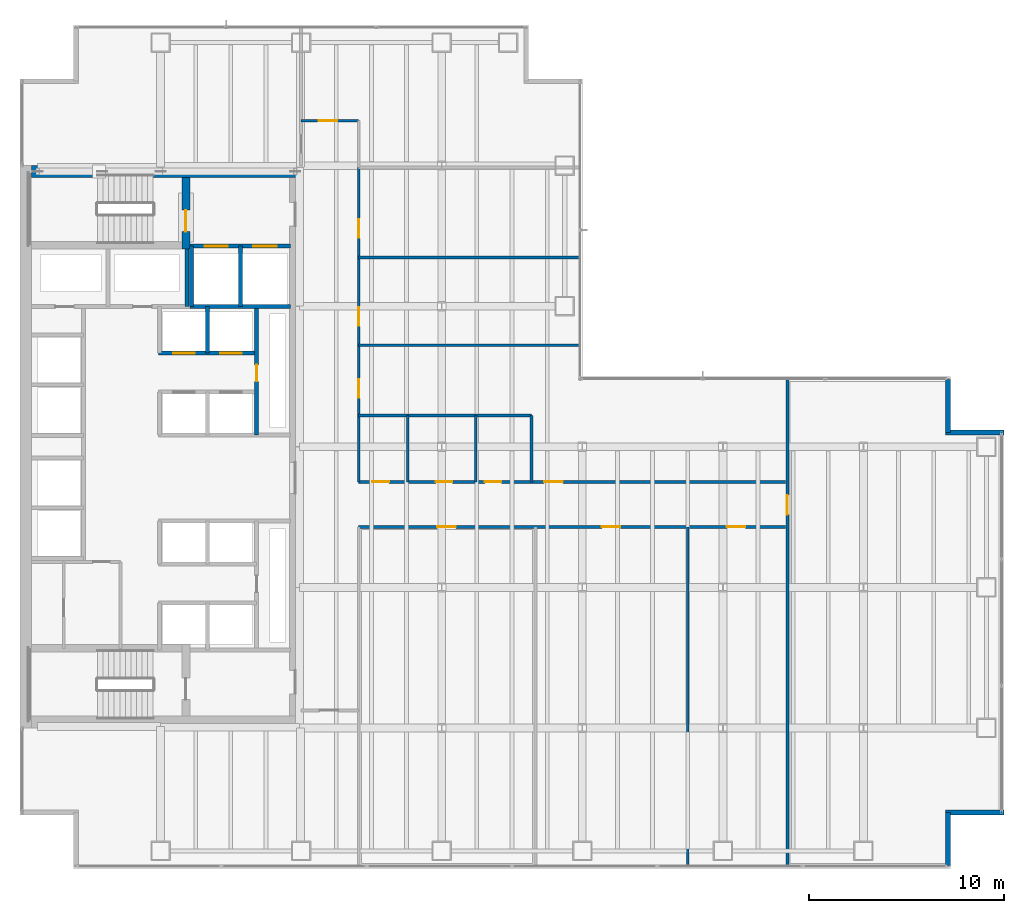
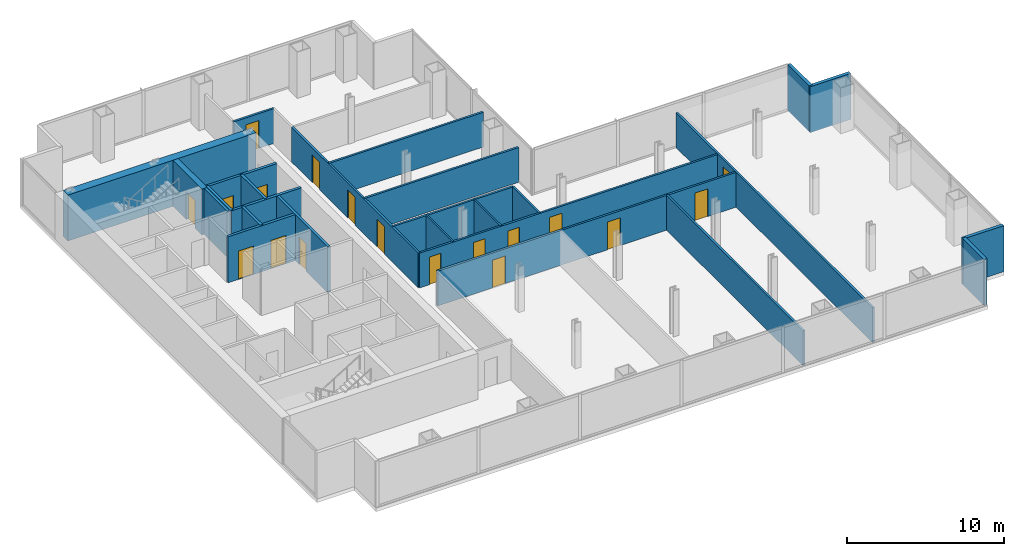
# One storey, part 21 of 24: 26 walls, 18 doors, 18 openings.
"""IFC4 building model written with IfcOpenShell, lengths in metres."""

from ifc_helpers import new_model, si_unit, direction, frame, frame_2d, origin, place, context, subcontext, project, spatial, rectangle, extrude, material, layer, layer_set, type_object, element, fill, save


model = new_model("IFC4")

# Units and contexts
model_context = context("Model", 3, precision=1e-05, world=origin(), true_north=direction((0.0, 1.0)))
body_context = subcontext(model_context, "Body", "Model", "MODEL_VIEW")
ifc_project = project(units=[si_unit("LENGTHUNIT", "METRE"), si_unit("AREAUNIT", "SQUARE_METRE"), si_unit("VOLUMEUNIT", "CUBIC_METRE"), si_unit("PLANEANGLEUNIT", "RADIAN"), si_unit("MASSUNIT", "GRAM", prefix="KILO")], contexts=[model_context])

# Site, building, storey
site_placement = place(None, origin())
site = spatial("IfcSite", under=ifc_project, at=site_placement, CompositionType="ELEMENT")
building_placement = place(site_placement, origin())
building = spatial("IfcBuilding", under=site, at=building_placement, Name="Cobrela Telecom Tower", CompositionType="ELEMENT")
storey_placement = place(building_placement, frame((0.0, 0.0, 69.64990234375)))
storey = spatial("IfcBuildingStorey", under=building, at=storey_placement, Name="L17", CompositionType="ELEMENT", Elevation=69.64990234375)

# Walls
ifc_material_1 = material(Name="Concrete C50/60", Category="concrete")
ifc_layer_1 = layer(ifc_material_1, 0.60009765625)
ifc_layer_set_1 = layer_set([ifc_layer_1], Name="Concrete C50/60")
wall_type_1 = type_object("IfcWallType", Name="WALL-CORE-C50-600", PredefinedType="SHEAR", material=ifc_layer_set_1)
wall_1_placement = place(storey_placement, frame((0.60009765625, 35.699951171875, 0.0), z_axis=(0.0, 0.0, 1.0), x_axis=(1.0, 0.0, 0.0)))
element("IfcWall", 1, at=wall_1_placement, inside=storey, type_object=wall_type_1, Name="L17 North Core Shear Wall", PredefinedType="SHEAR", context=body_context, shape_type="SweptSolid", body=[
    extrude(rectangle(XDim=13.7998046875, YDim=0.60009765625, at=frame_2d((6.89990234375, 0.0))), origin(), (0.0, 0.0, 1.0), 3.570068359375),
])
ifc_material_2 = material(Name="Concrete C40/50", Category="concrete")
ifc_layer_2 = layer(ifc_material_2, 0.239990234375)
ifc_layer_set_2 = layer_set([ifc_layer_2], Name="Concrete C40/50")
wall_type_2 = type_object("IfcWallType", Name="WALL-EXT-300", PredefinedType="STANDARD", material=ifc_layer_set_2)
wall_2_placement = place(storey_placement, frame((47.530029296875, 25.080078125, 0.0), z_axis=(0.0, 0.0, 1.0), x_axis=(0.0, -1.0, 0.0)))
element("IfcWall", 2, at=wall_2_placement, inside=storey, type_object=wall_type_2, Name="L17 Insulated Facade Wall 12", PredefinedType="STANDARD", context=body_context, shape_type="SweptSolid", body=[
    extrude(rectangle(XDim=2.75, YDim=0.239990234375, at=frame_2d((1.375, 0.0))), origin(), (0.0, 0.0, 1.0), 3.570068359375),
])
for number, where, z_axis, x_axis, name in (
    (3, (47.409912109375, 22.330078125, 0.0), (0.0, 0.0, 1.0), (1.0, 0.0, 0.0), "L17 Insulated Facade Wall 13"),
    (4, (50.39990234375, 2.8701171875, 0.0), (0.0, 0.0, 1.0), (-1.0, 0.0, 0.0), "L17 Insulated Facade Wall 15"),
):
    element("IfcWall", number, at=place(storey_placement, frame(where, z_axis=z_axis, x_axis=x_axis)), inside=storey, type_object=wall_type_2, Name=name, PredefinedType="STANDARD", context=body_context, shape_type="SweptSolid", body=[
        extrude(rectangle(XDim=2.989990234375, YDim=0.239990234375, at=frame_2d((1.4951171875, 0.0))), origin(), (0.0, 0.0, 1.0), 3.570068359375),
    ])
wall_3_placement = place(storey_placement, frame((47.530029296875, 2.8701171875, 0.0), z_axis=(0.0, 0.0, 1.0), x_axis=(0.0, -1.0, 0.0)))
element("IfcWall", 5, at=wall_3_placement, inside=storey, type_object=wall_type_2, Name="L17 Insulated Facade Wall 16", PredefinedType="STANDARD", context=body_context, shape_type="SweptSolid", body=[
    extrude(rectangle(XDim=2.75, YDim=0.239990234375, at=frame_2d((1.375, 0.0))), origin(), (0.0, 0.0, 1.0), 3.570068359375),
])
ifc_material_3 = material(Name="Fire-Rated Gypsum Plasterboard")
ifc_layer_3 = layer(ifc_material_3, 0.125)
ifc_layer_set_3 = layer_set([ifc_layer_3], Name="Fire-Rated Gypsum Plasterboard")
wall_type_3 = type_object("IfcWallType", Name="WALL-PART-125", PredefinedType="PARTITIONING", material=ifc_layer_set_3)
for number, where, z_axis, x_axis, name in (
    (6, (19.85009765625, 19.800048828125, 0.0), (0.0, 0.0, 1.0), (0.0, 1.0, 0.0), "L17 Interior Partition W-WCV-1"),
    (7, (23.35009765625, 19.800048828125, 0.0), (0.0, 0.0, 1.0), (0.0, 1.0, 0.0), "L17 Interior Partition W-WCV-2"),
):
    element("IfcWall", number, at=place(storey_placement, frame(where, z_axis=z_axis, x_axis=x_axis)), inside=storey, type_object=wall_type_3, Name=name, PredefinedType="PARTITIONING", context=body_context, shape_type="SweptSolid", body=[
        extrude(rectangle(XDim=3.39990234375, YDim=0.125, at=frame_2d((1.699951171875, 0.0))), origin(), (0.0, 0.0, 1.0), 2.69921875),
    ])

# Wall, openings, doors
ifc_layer_4 = layer(ifc_material_3, 0.14990234375)
ifc_layer_set_4 = layer_set([ifc_layer_4], Name="Fire-Rated Gypsum Plasterboard")
wall_type_4 = type_object("IfcWallType", Name="WALL-PART-150", PredefinedType="PARTITIONING", material=ifc_layer_set_4)
wall_4_placement = place(storey_placement, frame((17.35009765625, 19.800048828125, 0.0), z_axis=(0.0, 0.0, 1.0), x_axis=(0.0, 1.0, 0.0)))
wall_4 = element("IfcWall", 8, at=wall_4_placement, inside=storey, type_object=wall_type_4, Name="L17 Interior Partition W-C-E2", PredefinedType="PARTITIONING", context=body_context, shape_type="SweptSolid", body=[
    extrude(rectangle(XDim=16.099853515625, YDim=0.14990234375, at=frame_2d((8.0498046875, 0.0))), origin(), (0.0, 0.0, 1.0), 2.69921875),
])
opening_1_placement = place(wall_4_placement, frame((4.300048828125, 0.0, 0.0)))
opening_1 = element("IfcOpeningElement", 9, at=opening_1_placement, cuts=wall_4, Name="Opening DR-67", PredefinedType="OPENING", context=body_context, shape_type="SweptSolid", body=[
    extrude(rectangle(XDim=0.949951171875, YDim=2.14990234375, at=frame_2d((0.47509765625, 1.074951171875))), frame((0.0, 0.0869140625, 0.0), z_axis=(0.0, -1.0, 0.0), x_axis=(1.0, 0.0, 0.0)), (0.0, 0.0, 1.0), 0.173828125),
])
opening_2_placement = place(wall_4_placement, frame((8.0, 0.0, 0.0)))
opening_2 = element("IfcOpeningElement", 10, at=opening_2_placement, cuts=wall_4, Name="Opening DR-67", PredefinedType="OPENING", context=body_context, shape_type="SweptSolid", body=[
    extrude(rectangle(XDim=0.949951171875, YDim=2.14990234375, at=frame_2d((0.47509765625, 1.074951171875))), frame((0.0, 0.0869140625, 0.0), z_axis=(0.0, -1.0, 0.0), x_axis=(1.0, 0.0, 0.0)), (0.0, 0.0, 1.0), 0.173828125),
])
opening_3_placement = place(wall_4_placement, frame((12.5, 0.0, 0.0)))
opening_3 = element("IfcOpeningElement", 11, at=opening_3_placement, cuts=wall_4, Name="Opening DR-67", PredefinedType="OPENING", context=body_context, shape_type="SweptSolid", body=[
    extrude(rectangle(XDim=0.949951171875, YDim=2.14990234375, at=frame_2d((0.47509765625, 1.074951171875))), frame((0.0, 0.0869140625, 0.0), z_axis=(0.0, -1.0, 0.0), x_axis=(1.0, 0.0, 0.0)), (0.0, 0.0, 1.0), 0.173828125),
])
ifc_material_4 = material(Name="Solid Engineered Oak Timber", Category="wood")
door_type_1 = type_object("IfcDoorType", Name="DOOR-INT-950", OperationType="SINGLE_SWING_LEFT", PredefinedType="DOOR", material=ifc_material_4)
door_1_placement = place(opening_1_placement, origin())
door_1 = element("IfcDoor", 12, at=door_1_placement, inside=storey, type_object=door_type_1, Name="L17 Door DR-67", OperationType="SINGLE_SWING_RIGHT", OverallHeight=2.14990234375, OverallWidth=0.949951171875, PredefinedType="DOOR", context=body_context, shape_type="SweptSolid", body=[
    extrude(rectangle(XDim=0.949951171875, YDim=2.14990234375, at=frame_2d((0.47509765625, 1.074951171875))), frame((0.0, 0.02490234375, 0.0), z_axis=(0.0, -1.0, 0.0), x_axis=(1.0, 0.0, 0.0)), (0.0, 0.0, 1.0), 0.050048828125),
])
fill(opening_1, door_1)
door_2_placement = place(opening_2_placement, origin())
door_2 = element("IfcDoor", 13, at=door_2_placement, inside=storey, type_object=door_type_1, Name="L17 Door DR-67", OperationType="SINGLE_SWING_LEFT", OverallHeight=2.14990234375, OverallWidth=0.949951171875, PredefinedType="DOOR", context=body_context, shape_type="SweptSolid", body=[
    extrude(rectangle(XDim=0.949951171875, YDim=2.14990234375, at=frame_2d((0.47509765625, 1.074951171875))), frame((0.0, 0.02490234375, 0.0), z_axis=(0.0, -1.0, 0.0), x_axis=(1.0, 0.0, 0.0)), (0.0, 0.0, 1.0), 0.050048828125),
])
fill(opening_2, door_2)
door_3_placement = place(opening_3_placement, origin())
door_3 = element("IfcDoor", 14, at=door_3_placement, inside=storey, type_object=door_type_1, Name="L17 Door DR-67", OperationType="SINGLE_SWING_RIGHT", OverallHeight=2.14990234375, OverallWidth=0.949951171875, PredefinedType="DOOR", context=body_context, shape_type="SweptSolid", body=[
    extrude(rectangle(XDim=0.949951171875, YDim=2.14990234375, at=frame_2d((0.47509765625, 1.074951171875))), frame((0.0, 0.02490234375, 0.0), z_axis=(0.0, -1.0, 0.0), x_axis=(1.0, 0.0, 0.0)), (0.0, 0.0, 1.0), 0.050048828125),
])
fill(opening_3, door_3)

wall_5_placement = place(storey_placement, frame((17.35009765625, 17.5, 0.0), z_axis=(0.0, 0.0, 1.0), x_axis=(1.0, 0.0, 0.0)))
wall_5 = element("IfcWall", 15, at=wall_5_placement, inside=storey, type_object=wall_type_4, Name="L17 Interior Partition W-C-HS", PredefinedType="PARTITIONING", context=body_context, shape_type="SweptSolid", body=[
    extrude(rectangle(XDim=21.849853515625, YDim=0.14990234375, at=frame_2d((10.9248046875, 0.0))), origin(), (0.0, 0.0, 1.0), 2.69921875),
])
opening_4_placement = place(wall_5_placement, frame((4.02001953125, 0.0, 0.0)))
opening_4 = element("IfcOpeningElement", 16, at=opening_4_placement, cuts=wall_5, Name="Opening DR-67", PredefinedType="OPENING", context=body_context, shape_type="SweptSolid", body=[
    extrude(rectangle(XDim=0.949951171875, YDim=2.14990234375, at=frame_2d((0.47509765625, 1.074951171875))), frame((0.0, 0.0869140625, 0.0), z_axis=(0.0, -1.0, 0.0), x_axis=(1.0, 0.0, 0.0)), (0.0, 0.0, 1.0), 0.173828125),
])
opening_5_placement = place(wall_5_placement, frame((12.449951171875, 0.0, 0.0)))
opening_5 = element("IfcOpeningElement", 17, at=opening_5_placement, cuts=wall_5, Name="Opening DR-67", PredefinedType="OPENING", context=body_context, shape_type="SweptSolid", body=[
    extrude(rectangle(XDim=0.949951171875, YDim=2.14990234375, at=frame_2d((0.47509765625, 1.074951171875))), frame((0.0, 0.0869140625, 0.0), z_axis=(0.0, -1.0, 0.0), x_axis=(1.0, 0.0, 0.0)), (0.0, 0.0, 1.0), 0.173828125),
])
opening_6_placement = place(wall_5_placement, frame((18.85009765625, 0.0, 0.0)))
opening_6 = element("IfcOpeningElement", 18, at=opening_6_placement, cuts=wall_5, Name="Opening DR-67", PredefinedType="OPENING", context=body_context, shape_type="SweptSolid", body=[
    extrude(rectangle(XDim=0.949951171875, YDim=2.14990234375, at=frame_2d((0.47509765625, 1.074951171875))), frame((0.0, 0.0869140625, 0.0), z_axis=(0.0, -1.0, 0.0), x_axis=(1.0, 0.0, 0.0)), (0.0, 0.0, 1.0), 0.173828125),
])
door_4_placement = place(opening_4_placement, origin())
door_4 = element("IfcDoor", 19, at=door_4_placement, inside=storey, type_object=door_type_1, Name="L17 Door DR-67", OperationType="SINGLE_SWING_LEFT", OverallHeight=2.14990234375, OverallWidth=0.949951171875, PredefinedType="DOOR", context=body_context, shape_type="SweptSolid", body=[
    extrude(rectangle(XDim=0.949951171875, YDim=2.14990234375, at=frame_2d((0.47509765625, 1.074951171875))), frame((0.0, 0.02490234375, 0.0), z_axis=(0.0, -1.0, 0.0), x_axis=(1.0, 0.0, 0.0)), (0.0, 0.0, 1.0), 0.050048828125),
])
fill(opening_4, door_4)
door_5_placement = place(opening_5_placement, origin())
door_5 = element("IfcDoor", 20, at=door_5_placement, inside=storey, type_object=door_type_1, Name="L17 Door DR-67", OperationType="SINGLE_SWING_RIGHT", OverallHeight=2.14990234375, OverallWidth=0.949951171875, PredefinedType="DOOR", context=body_context, shape_type="SweptSolid", body=[
    extrude(rectangle(XDim=0.949951171875, YDim=2.14990234375, at=frame_2d((0.47509765625, 1.074951171875))), frame((0.0, 0.02490234375, 0.0), z_axis=(0.0, -1.0, 0.0), x_axis=(1.0, 0.0, 0.0)), (0.0, 0.0, 1.0), 0.050048828125),
])
fill(opening_5, door_5)
door_6_placement = place(opening_6_placement, origin())
door_6 = element("IfcDoor", 21, at=door_6_placement, inside=storey, type_object=door_type_1, Name="L17 Door DR-67", OperationType="SINGLE_SWING_LEFT", OverallHeight=2.14990234375, OverallWidth=0.949951171875, PredefinedType="DOOR", context=body_context, shape_type="SweptSolid", body=[
    extrude(rectangle(XDim=0.949951171875, YDim=2.14990234375, at=frame_2d((0.47509765625, 1.074951171875))), frame((0.0, 0.02490234375, 0.0), z_axis=(0.0, -1.0, 0.0), x_axis=(1.0, 0.0, 0.0)), (0.0, 0.0, 1.0), 0.050048828125),
])
fill(opening_6, door_6)

wall_6_placement = place(storey_placement, frame((17.35009765625, 19.800048828125, 0.0), z_axis=(0.0, 0.0, 1.0), x_axis=(1.0, 0.0, 0.0)))
wall_6 = element("IfcWall", 22, at=wall_6_placement, inside=storey, type_object=wall_type_4, Name="L17 Interior Partition W-C-HN", PredefinedType="PARTITIONING", context=body_context, shape_type="SweptSolid", body=[
    extrude(rectangle(XDim=21.849853515625, YDim=0.14990234375, at=frame_2d((10.9248046875, 0.0))), origin(), (0.0, 0.0, 1.0), 2.69921875),
])
opening_7_placement = place(wall_6_placement, frame((0.699951171875, 0.0, 0.0)))
opening_7 = element("IfcOpeningElement", 23, at=opening_7_placement, cuts=wall_6, Name="Opening DR-11", PredefinedType="OPENING", context=body_context, shape_type="SweptSolid", body=[
    extrude(rectangle(XDim=0.85009765625, YDim=2.14990234375, at=frame_2d((0.425048828125, 1.074951171875))), frame((0.0, 0.0869140625, 0.0), z_axis=(0.0, -1.0, 0.0), x_axis=(1.0, 0.0, 0.0)), (0.0, 0.0, 1.0), 0.173828125),
])
opening_8_placement = place(wall_6_placement, frame((3.949951171875, 0.0, 0.0)))
opening_8 = element("IfcOpeningElement", 24, at=opening_8_placement, cuts=wall_6, Name="Opening DR-11", PredefinedType="OPENING", context=body_context, shape_type="SweptSolid", body=[
    extrude(rectangle(XDim=0.85009765625, YDim=2.14990234375, at=frame_2d((0.425048828125, 1.074951171875))), frame((0.0, 0.0869140625, 0.0), z_axis=(0.0, -1.0, 0.0), x_axis=(1.0, 0.0, 0.0)), (0.0, 0.0, 1.0), 0.173828125),
])
opening_9_placement = place(wall_6_placement, frame((6.4599609375, 0.0, 0.0)))
opening_9 = element("IfcOpeningElement", 25, at=opening_9_placement, cuts=wall_6, Name="Opening DR-11", PredefinedType="OPENING", context=body_context, shape_type="SweptSolid", body=[
    extrude(rectangle(XDim=0.85009765625, YDim=2.14990234375, at=frame_2d((0.425048828125, 1.074951171875))), frame((0.0, 0.0869140625, 0.0), z_axis=(0.0, -1.0, 0.0), x_axis=(1.0, 0.0, 0.0)), (0.0, 0.0, 1.0), 0.173828125),
])
opening_10_placement = place(wall_6_placement, frame((9.5, 0.0, 0.0)))
opening_10 = element("IfcOpeningElement", 26, at=opening_10_placement, cuts=wall_6, Name="Opening DR-67", PredefinedType="OPENING", context=body_context, shape_type="SweptSolid", body=[
    extrude(rectangle(XDim=0.949951171875, YDim=2.14990234375, at=frame_2d((0.47509765625, 1.074951171875))), frame((0.0, 0.0869140625, 0.0), z_axis=(0.0, -1.0, 0.0), x_axis=(1.0, 0.0, 0.0)), (0.0, 0.0, 1.0), 0.173828125),
])
door_type_2 = type_object("IfcDoorType", Name="DOOR-INT-850", OperationType="SINGLE_SWING_LEFT", PredefinedType="DOOR", material=ifc_material_4)
door_7_placement = place(opening_7_placement, origin())
door_7 = element("IfcDoor", 27, at=door_7_placement, inside=storey, type_object=door_type_2, Name="L17 Door DR-11", OperationType="SINGLE_SWING_LEFT", OverallHeight=2.14990234375, OverallWidth=0.85009765625, PredefinedType="DOOR", context=body_context, shape_type="SweptSolid", body=[
    extrude(rectangle(XDim=0.85009765625, YDim=2.14990234375, at=frame_2d((0.425048828125, 1.074951171875))), frame((0.0, 0.02490234375, 0.0), z_axis=(0.0, -1.0, 0.0), x_axis=(1.0, 0.0, 0.0)), (0.0, 0.0, 1.0), 0.050048828125),
])
fill(opening_7, door_7)
door_8_placement = place(opening_8_placement, origin())
door_8 = element("IfcDoor", 28, at=door_8_placement, inside=storey, type_object=door_type_2, Name="L17 Door DR-11", OperationType="SINGLE_SWING_RIGHT", OverallHeight=2.14990234375, OverallWidth=0.85009765625, PredefinedType="DOOR", context=body_context, shape_type="SweptSolid", body=[
    extrude(rectangle(XDim=0.85009765625, YDim=2.14990234375, at=frame_2d((0.425048828125, 1.074951171875))), frame((0.0, 0.02490234375, 0.0), z_axis=(0.0, -1.0, 0.0), x_axis=(1.0, 0.0, 0.0)), (0.0, 0.0, 1.0), 0.050048828125),
])
fill(opening_8, door_8)
door_9_placement = place(opening_9_placement, origin())
door_9 = element("IfcDoor", 29, at=door_9_placement, inside=storey, type_object=door_type_2, Name="L17 Door DR-11", OperationType="SINGLE_SWING_LEFT", OverallHeight=2.14990234375, OverallWidth=0.85009765625, PredefinedType="DOOR", context=body_context, shape_type="SweptSolid", body=[
    extrude(rectangle(XDim=0.85009765625, YDim=2.14990234375, at=frame_2d((0.425048828125, 1.074951171875))), frame((0.0, 0.02490234375, 0.0), z_axis=(0.0, -1.0, 0.0), x_axis=(1.0, 0.0, 0.0)), (0.0, 0.0, 1.0), 0.050048828125),
])
fill(opening_9, door_9)
door_10_placement = place(opening_10_placement, origin())
door_10 = element("IfcDoor", 30, at=door_10_placement, inside=storey, type_object=door_type_1, Name="L17 Door DR-67", OperationType="SINGLE_SWING_RIGHT", OverallHeight=2.14990234375, OverallWidth=0.949951171875, PredefinedType="DOOR", context=body_context, shape_type="SweptSolid", body=[
    extrude(rectangle(XDim=0.949951171875, YDim=2.14990234375, at=frame_2d((0.47509765625, 1.074951171875))), frame((0.0, 0.02490234375, 0.0), z_axis=(0.0, -1.0, 0.0), x_axis=(1.0, 0.0, 0.0)), (0.0, 0.0, 1.0), 0.050048828125),
])
fill(opening_10, door_10)

# Wall, opening, door
wall_7_placement = place(storey_placement, frame((39.300048828125, 0.1201171875, 0.0), z_axis=(0.0, 0.0, 1.0), x_axis=(0.0, 1.0, 0.0)))
wall_7 = element("IfcWall", 31, at=wall_7_placement, inside=storey, type_object=wall_type_4, Name="L17 Interior Partition W-C-END", PredefinedType="PARTITIONING", context=body_context, shape_type="SweptSolid", body=[
    extrude(rectangle(XDim=24.9599609375, YDim=0.14990234375, at=frame_2d((12.47998046875, 0.0))), origin(), (0.0, 0.0, 1.0), 2.69921875),
])
opening_11_placement = place(wall_7_placement, frame((18.0, 0.0, 0.0)))
opening_11 = element("IfcOpeningElement", 32, at=opening_11_placement, cuts=wall_7, Name="Opening DR-31", PredefinedType="OPENING", context=body_context, shape_type="SweptSolid", body=[
    extrude(rectangle(XDim=1.0, YDim=2.14990234375, at=frame_2d((0.5, 1.074951171875))), frame((0.0, 0.0869140625, 0.0), z_axis=(0.0, -1.0, 0.0), x_axis=(1.0, 0.0, 0.0)), (0.0, 0.0, 1.0), 0.173828125),
])
door_type_3 = type_object("IfcDoorType", Name="DOOR-INT-1000", OperationType="SINGLE_SWING_LEFT", PredefinedType="DOOR", material=ifc_material_4)
door_11_placement = place(opening_11_placement, origin())
door_11 = element("IfcDoor", 33, at=door_11_placement, inside=storey, type_object=door_type_3, Name="L17 Door DR-31", OperationType="SINGLE_SWING_LEFT", OverallHeight=2.14990234375, OverallWidth=1.0, PredefinedType="DOOR", context=body_context, shape_type="SweptSolid", body=[
    extrude(rectangle(XDim=1.0, YDim=2.14990234375, at=frame_2d((0.5, 1.074951171875))), frame((0.0, 0.02490234375, 0.0), z_axis=(0.0, -1.0, 0.0), x_axis=(1.0, 0.0, 0.0)), (0.0, 0.0, 1.0), 0.050048828125),
])
fill(opening_11, door_11)

wall_8_placement = place(storey_placement, frame((14.39990234375, 38.300048828125, 0.0), z_axis=(0.0, 0.0, 1.0), x_axis=(1.0, 0.0, 0.0)))
wall_8 = element("IfcWall", 34, at=wall_8_placement, inside=storey, type_object=wall_type_4, Name="L17 Interior Partition W-CN-T", PredefinedType="PARTITIONING", context=body_context, shape_type="SweptSolid", body=[
    extrude(rectangle(XDim=2.9501953125, YDim=0.14990234375, at=frame_2d((1.47509765625, 0.0))), origin(), (0.0, 0.0, 1.0), 2.69921875),
])
opening_12_placement = place(wall_8_placement, frame((0.89990234375, 0.0, 0.0)))
opening_12 = element("IfcOpeningElement", 35, at=opening_12_placement, cuts=wall_8, Name="Opening DR-67", PredefinedType="OPENING", context=body_context, shape_type="SweptSolid", body=[
    extrude(rectangle(XDim=0.949951171875, YDim=2.14990234375, at=frame_2d((0.47509765625, 1.074951171875))), frame((0.0, 0.0869140625, 0.0), z_axis=(0.0, -1.0, 0.0), x_axis=(1.0, 0.0, 0.0)), (0.0, 0.0, 1.0), 0.173828125),
])
door_12_placement = place(opening_12_placement, origin())
door_12 = element("IfcDoor", 36, at=door_12_placement, inside=storey, type_object=door_type_1, Name="L17 Door DR-67", OperationType="SINGLE_SWING_RIGHT", OverallHeight=2.14990234375, OverallWidth=0.949951171875, PredefinedType="DOOR", context=body_context, shape_type="SweptSolid", body=[
    extrude(rectangle(XDim=0.949951171875, YDim=2.14990234375, at=frame_2d((0.47509765625, 1.074951171875))), frame((0.0, 0.02490234375, 0.0), z_axis=(0.0, -1.0, 0.0), x_axis=(1.0, 0.0, 0.0)), (0.0, 0.0, 1.0), 0.050048828125),
])
fill(opening_12, door_12)

# Walls
wall_9_placement = place(storey_placement, frame((17.35009765625, 23.199951171875, 0.0), z_axis=(0.0, 0.0, 1.0), x_axis=(1.0, 0.0, 0.0)))
element("IfcWall", 37, at=wall_9_placement, inside=storey, type_object=wall_type_4, Name="L17 Interior Partition W-WC-N", PredefinedType="PARTITIONING", context=body_context, shape_type="SweptSolid", body=[
    extrude(rectangle(XDim=8.849853515625, YDim=0.14990234375, at=frame_2d((4.4248046875, 0.0))), origin(), (0.0, 0.0, 1.0), 2.69921875),
])
wall_10_placement = place(storey_placement, frame((26.199951171875, 19.800048828125, 0.0), z_axis=(0.0, 0.0, 1.0), x_axis=(0.0, 1.0, 0.0)))
element("IfcWall", 38, at=wall_10_placement, inside=storey, type_object=wall_type_4, Name="L17 Interior Partition W-WC-R", PredefinedType="PARTITIONING", context=body_context, shape_type="SweptSolid", body=[
    extrude(rectangle(XDim=3.39990234375, YDim=0.14990234375, at=frame_2d((1.699951171875, 0.0))), origin(), (0.0, 0.0, 1.0), 2.69921875),
])
for number, where, z_axis, x_axis, name in (
    (39, (17.35009765625, 26.800048828125, 0.0), (0.0, 0.0, 1.0), (1.0, 0.0, 0.0), "L17 Interior Partition W-NPAN-T"),
    (40, (17.35009765625, 31.300048828125, 0.0), (0.0, 0.0, 1.0), (1.0, 0.0, 0.0), "L17 Interior Partition W-NT-M"),
):
    element("IfcWall", number, at=place(storey_placement, frame(where, z_axis=z_axis, x_axis=x_axis)), inside=storey, type_object=wall_type_4, Name=name, PredefinedType="PARTITIONING", context=body_context, shape_type="SweptSolid", body=[
        extrude(rectangle(XDim=11.329833984375, YDim=0.14990234375, at=frame_2d((5.6650390625, 0.0))), origin(), (0.0, 0.0, 1.0), 2.69921875),
    ])
wall_11_placement = place(storey_placement, frame((34.199951171875, 0.1201171875, 0.0), z_axis=(0.0, 0.0, 1.0), x_axis=(0.0, 1.0, 0.0)))
element("IfcWall", 41, at=wall_11_placement, inside=storey, type_object=wall_type_4, Name="L17 Interior Partition W-SV-2", PredefinedType="PARTITIONING", context=body_context, shape_type="SweptSolid", body=[
    extrude(rectangle(XDim=17.3798828125, YDim=0.14990234375, at=frame_2d((8.68994140625, 0.0))), origin(), (0.0, 0.0, 1.0), 2.69921875),
])

# Wall, openings, doors
ifc_layer_5 = layer(ifc_material_3, 0.199951171875)
ifc_layer_set_5 = layer_set([ifc_layer_5], Name="Fire-Rated Gypsum Plasterboard")
wall_type_5 = type_object("IfcWallType", Name="WALL-SHAFT-200", PredefinedType="PARTITIONING", material=ifc_layer_set_5)
wall_12_placement = place(storey_placement, frame((8.699951171875, 31.8798828125, 0.0), z_axis=(0.0, 0.0, 1.0), x_axis=(1.0, 0.0, 0.0)))
wall_12 = element("IfcWall", 42, at=wall_12_placement, inside=storey, type_object=wall_type_5, Name="L17 Shaft Enclosure CW-FFL-S", PredefinedType="PARTITIONING", context=body_context, shape_type="SweptSolid", body=[
    extrude(rectangle(XDim=5.150146484375, YDim=0.199951171875, at=frame_2d((2.5751953125, 0.0))), origin(), (0.0, 0.0, 1.0), 3.570068359375),
])
opening_13_placement = place(wall_12_placement, frame((0.75, 0.0, 0.0)))
opening_13 = element("IfcOpeningElement", 43, at=opening_13_placement, cuts=wall_12, Name="Opening LD-2", PredefinedType="OPENING", context=body_context, shape_type="SweptSolid", body=[
    extrude(rectangle(XDim=1.199951171875, YDim=2.199951171875, at=frame_2d((0.60009765625, 1.10009765625))), frame((0.0, 0.11181640625, 0.0), z_axis=(0.0, -1.0, 0.0), x_axis=(1.0, 0.0, 0.0)), (0.0, 0.0, 1.0), 0.223876953125),
])
opening_14_placement = place(wall_12_placement, frame((3.25, 0.0, 0.0)))
opening_14 = element("IfcOpeningElement", 44, at=opening_14_placement, cuts=wall_12, Name="Opening LD-2", PredefinedType="OPENING", context=body_context, shape_type="SweptSolid", body=[
    extrude(rectangle(XDim=1.199951171875, YDim=2.199951171875, at=frame_2d((0.60009765625, 1.10009765625))), frame((0.0, 0.11181640625, 0.0), z_axis=(0.0, -1.0, 0.0), x_axis=(1.0, 0.0, 0.0)), (0.0, 0.0, 1.0), 0.223876953125),
])
ifc_material_5 = material(Name="Steel ASTM A36", Category="steel")
door_type_4 = type_object("IfcDoorType", Name="DOOR-LD-FFL", OperationType="SINGLE_SWING_LEFT", PredefinedType="DOOR", material=ifc_material_5)
door_13_placement = place(opening_13_placement, origin())
door_13 = element("IfcDoor", 45, at=door_13_placement, inside=storey, type_object=door_type_4, Name="L17 Lift Landing Door LD-2", OperationType="DOUBLE_DOOR_SLIDING", OverallHeight=2.199951171875, OverallWidth=1.199951171875, PredefinedType="DOOR", context=body_context, shape_type="SweptSolid", body=[
    extrude(rectangle(XDim=1.199951171875, YDim=2.199951171875, at=frame_2d((0.60009765625, 1.10009765625))), frame((0.0, 0.02490234375, 0.0), z_axis=(0.0, -1.0, 0.0), x_axis=(1.0, 0.0, 0.0)), (0.0, 0.0, 1.0), 0.050048828125),
])
fill(opening_13, door_13)
door_14_placement = place(opening_14_placement, origin())
door_14 = element("IfcDoor", 46, at=door_14_placement, inside=storey, type_object=door_type_4, Name="L17 Lift Landing Door LD-2", OperationType="DOUBLE_DOOR_SLIDING", OverallHeight=2.199951171875, OverallWidth=1.199951171875, PredefinedType="DOOR", context=body_context, shape_type="SweptSolid", body=[
    extrude(rectangle(XDim=1.199951171875, YDim=2.199951171875, at=frame_2d((0.60009765625, 1.10009765625))), frame((0.0, 0.02490234375, 0.0), z_axis=(0.0, -1.0, 0.0), x_axis=(1.0, 0.0, 0.0)), (0.0, 0.0, 1.0), 0.050048828125),
])
fill(opening_14, door_14)

# Walls
wall_13_placement = place(storey_placement, frame((8.699951171875, 28.780029296875, 0.0), z_axis=(0.0, 0.0, 1.0), x_axis=(1.0, 0.0, 0.0)))
element("IfcWall", 47, at=wall_13_placement, inside=storey, type_object=wall_type_5, Name="L17 Shaft Enclosure CW-FFL-S2", PredefinedType="PARTITIONING", context=body_context, shape_type="SweptSolid", body=[
    extrude(rectangle(XDim=5.150146484375, YDim=0.199951171875, at=frame_2d((2.5751953125, 0.0))), origin(), (0.0, 0.0, 1.0), 3.570068359375),
])
for number, where, z_axis, x_axis, name in (
    (48, (8.780029296875, 28.780029296875, 0.0), (0.0, 0.0, 1.0), (0.0, 1.0, 0.0), "L17 Shaft Enclosure CW-FFL-W"),
    (49, (11.300048828125, 28.780029296875, 0.0), (0.0, 0.0, 1.0), (0.0, 1.0, 0.0), "L17 Shaft Enclosure CW-FFL-M"),
):
    element("IfcWall", number, at=place(storey_placement, frame(where, z_axis=z_axis, x_axis=x_axis)), inside=storey, type_object=wall_type_5, Name=name, PredefinedType="PARTITIONING", context=body_context, shape_type="SweptSolid", body=[
        extrude(rectangle(XDim=3.099853515625, YDim=0.199951171875, at=frame_2d((1.5498046875, 0.0))), origin(), (0.0, 0.0, 1.0), 3.570068359375),
    ])
wall_14_placement = place(storey_placement, frame((8.550048828125, 28.780029296875, 0.0), z_axis=(0.0, 0.0, 1.0), x_axis=(0.0, 1.0, 0.0)))
element("IfcWall", 50, at=wall_14_placement, inside=storey, type_object=wall_type_5, Name="L17 Shaft Enclosure CW-RIS-E", PredefinedType="PARTITIONING", context=body_context, shape_type="SweptSolid", body=[
    extrude(rectangle(XDim=2.93994140625, YDim=0.199951171875, at=frame_2d((1.469970703125, 0.0))), origin(), (0.0, 0.0, 1.0), 3.570068359375),
])

# Wall, openings, doors
wall_15_placement = place(storey_placement, frame((7.10009765625, 26.39990234375, 0.0), z_axis=(0.0, 0.0, 1.0), x_axis=(1.0, 0.0, 0.0)))
wall_15 = element("IfcWall", 51, at=wall_15_placement, inside=storey, type_object=wall_type_5, Name="L17 Shaft Enclosure CW-PLL-N", PredefinedType="PARTITIONING", context=body_context, shape_type="SweptSolid", body=[
    extrude(rectangle(XDim=5.02001953125, YDim=0.199951171875, at=frame_2d((2.510009765625, 0.0))), origin(), (0.0, 0.0, 1.0), 3.570068359375),
])
opening_15_placement = place(wall_15_placement, frame((0.75, 0.0, 0.0)))
opening_15 = element("IfcOpeningElement", 52, at=opening_15_placement, cuts=wall_15, Name="Opening LD-1", PredefinedType="OPENING", context=body_context, shape_type="SweptSolid", body=[
    extrude(rectangle(XDim=1.10009765625, YDim=2.199951171875, at=frame_2d((0.550048828125, 1.10009765625))), frame((0.0, 0.11181640625, 0.0), z_axis=(0.0, -1.0, 0.0), x_axis=(1.0, 0.0, 0.0)), (0.0, 0.0, 1.0), 0.223876953125),
])
opening_16_placement = place(wall_15_placement, frame((3.14990234375, 0.0, 0.0)))
opening_16 = element("IfcOpeningElement", 53, at=opening_16_placement, cuts=wall_15, Name="Opening LD-1", PredefinedType="OPENING", context=body_context, shape_type="SweptSolid", body=[
    extrude(rectangle(XDim=1.10009765625, YDim=2.199951171875, at=frame_2d((0.550048828125, 1.10009765625))), frame((0.0, 0.11181640625, 0.0), z_axis=(0.0, -1.0, 0.0), x_axis=(1.0, 0.0, 0.0)), (0.0, 0.0, 1.0), 0.223876953125),
])
door_type_5 = type_object("IfcDoorType", Name="DOOR-LD-PL", OperationType="SINGLE_SWING_LEFT", PredefinedType="DOOR", material=ifc_material_5)
door_15_placement = place(opening_15_placement, origin())
door_15 = element("IfcDoor", 54, at=door_15_placement, inside=storey, type_object=door_type_5, Name="L17 Lift Landing Door LD-1", OperationType="DOUBLE_DOOR_SLIDING", OverallHeight=2.199951171875, OverallWidth=1.10009765625, PredefinedType="DOOR", context=body_context, shape_type="SweptSolid", body=[
    extrude(rectangle(XDim=1.10009765625, YDim=2.199951171875, at=frame_2d((0.550048828125, 1.10009765625))), frame((0.0, 0.02490234375, 0.0), z_axis=(0.0, -1.0, 0.0), x_axis=(1.0, 0.0, 0.0)), (0.0, 0.0, 1.0), 0.050048828125),
])
fill(opening_15, door_15)
door_16_placement = place(opening_16_placement, origin())
door_16 = element("IfcDoor", 55, at=door_16_placement, inside=storey, type_object=door_type_5, Name="L17 Lift Landing Door LD-1", OperationType="DOUBLE_DOOR_SLIDING", OverallHeight=2.199951171875, OverallWidth=1.10009765625, PredefinedType="DOOR", context=body_context, shape_type="SweptSolid", body=[
    extrude(rectangle(XDim=1.10009765625, YDim=2.199951171875, at=frame_2d((0.550048828125, 1.10009765625))), frame((0.0, 0.02490234375, 0.0), z_axis=(0.0, -1.0, 0.0), x_axis=(1.0, 0.0, 0.0)), (0.0, 0.0, 1.0), 0.050048828125),
])
fill(opening_16, door_16)

# Wall
wall_16_placement = place(storey_placement, frame((9.60009765625, 26.39990234375, 0.0), z_axis=(0.0, 0.0, 1.0), x_axis=(0.0, 1.0, 0.0)))
element("IfcWall", 56, at=wall_16_placement, inside=storey, type_object=wall_type_5, Name="L17 Shaft Enclosure CW-PLL-V2B", PredefinedType="PARTITIONING", context=body_context, shape_type="SweptSolid", body=[
    extrude(rectangle(XDim=2.380126953125, YDim=0.199951171875, at=frame_2d((1.18994140625, 0.0))), origin(), (0.0, 0.0, 1.0), 3.570068359375),
])

# Wall, opening, door
wall_17_placement = place(storey_placement, frame((12.1201171875, 22.199951171875, 0.0), z_axis=(0.0, 0.0, 1.0), x_axis=(0.0, 1.0, 0.0)))
wall_17 = element("IfcWall", 57, at=wall_17_placement, inside=storey, type_object=wall_type_5, Name="L17 Shaft Enclosure CW-PLL-V3", PredefinedType="PARTITIONING", context=body_context, shape_type="SweptSolid", body=[
    extrude(rectangle(XDim=6.580078125, YDim=0.199951171875, at=frame_2d((3.2900390625, 0.0))), origin(), (0.0, 0.0, 1.0), 3.570068359375),
])
opening_17_placement = place(wall_17_placement, frame((2.75, 0.0, 0.0)))
opening_17 = element("IfcOpeningElement", 58, at=opening_17_placement, cuts=wall_17, Name="Opening DR-11", PredefinedType="OPENING", context=body_context, shape_type="SweptSolid", body=[
    extrude(rectangle(XDim=0.85009765625, YDim=2.14990234375, at=frame_2d((0.425048828125, 1.074951171875))), frame((0.0, 0.11181640625, 0.0), z_axis=(0.0, -1.0, 0.0), x_axis=(1.0, 0.0, 0.0)), (0.0, 0.0, 1.0), 0.223876953125),
])
door_17_placement = place(opening_17_placement, origin())
door_17 = element("IfcDoor", 59, at=door_17_placement, inside=storey, type_object=door_type_2, Name="L17 Door DR-11", OperationType="SINGLE_SWING_LEFT", OverallHeight=2.14990234375, OverallWidth=0.85009765625, PredefinedType="DOOR", context=body_context, shape_type="SweptSolid", body=[
    extrude(rectangle(XDim=0.85009765625, YDim=2.14990234375, at=frame_2d((0.425048828125, 1.074951171875))), frame((0.0, 0.02490234375, 0.0), z_axis=(0.0, -1.0, 0.0), x_axis=(1.0, 0.0, 0.0)), (0.0, 0.0, 1.0), 0.050048828125),
])
fill(opening_17, door_17)

ifc_layer_6 = layer(ifc_material_2, 0.39990234375)
ifc_layer_set_6 = layer_set([ifc_layer_6], Name="Concrete C40/50")
wall_type_6 = type_object("IfcWallType", Name="WALL-SHAFT-C40-400", PredefinedType="SHEAR", material=ifc_layer_set_6)
wall_18_placement = place(storey_placement, frame((8.5, 31.719970703125, 0.0), z_axis=(0.0, 0.0, 1.0), x_axis=(0.0, 1.0, 0.0)))
wall_18 = element("IfcWall", 60, at=wall_18_placement, inside=storey, type_object=wall_type_6, Name="L17 North Stair Lobby Shear Wall", PredefinedType="SHEAR", context=body_context, shape_type="SweptSolid", body=[
    extrude(rectangle(XDim=3.679931640625, YDim=0.39990234375, at=frame_2d((1.83984375, 0.0))), origin(), (0.0, 0.0, 1.0), 3.570068359375),
])
opening_18_placement = place(wall_18_placement, frame((0.89990234375, 0.0, 0.0)))
opening_18 = element("IfcOpeningElement", 61, at=opening_18_placement, cuts=wall_18, Name="Opening DR-59", PredefinedType="OPENING", context=body_context, shape_type="SweptSolid", body=[
    extrude(rectangle(XDim=1.10009765625, YDim=2.14990234375, at=frame_2d((0.550048828125, 1.074951171875))), frame((0.0, 0.2119140625, 0.0), z_axis=(0.0, -1.0, 0.0), x_axis=(1.0, 0.0, 0.0)), (0.0, 0.0, 1.0), 0.423828125),
])
door_type_6 = type_object("IfcDoorType", Name="DOOR-FD60-1100", OperationType="SINGLE_SWING_LEFT", PredefinedType="DOOR", material=ifc_material_5)
door_18_placement = place(opening_18_placement, origin())
door_18 = element("IfcDoor", 62, at=door_18_placement, inside=storey, type_object=door_type_6, Name="L17 Door DR-59", OperationType="SINGLE_SWING_RIGHT", OverallHeight=2.14990234375, OverallWidth=1.10009765625, PredefinedType="DOOR", context=body_context, shape_type="SweptSolid", body=[
    extrude(rectangle(XDim=1.10009765625, YDim=2.14990234375, at=frame_2d((0.550048828125, 1.074951171875))), frame((0.0, 0.02490234375, 0.0), z_axis=(0.0, -1.0, 0.0), x_axis=(1.0, 0.0, 0.0)), (0.0, 0.0, 1.0), 0.050048828125),
])
fill(opening_18, door_18)

save(model, "model.ifc")
